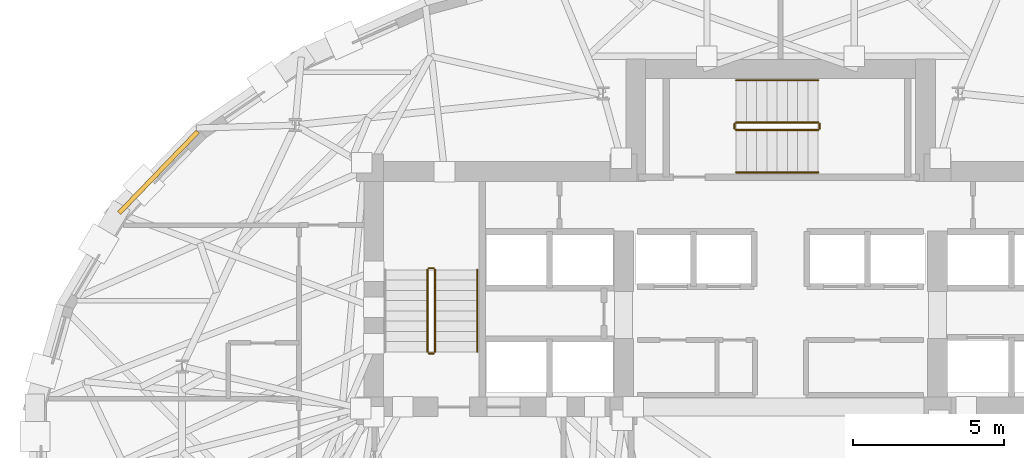
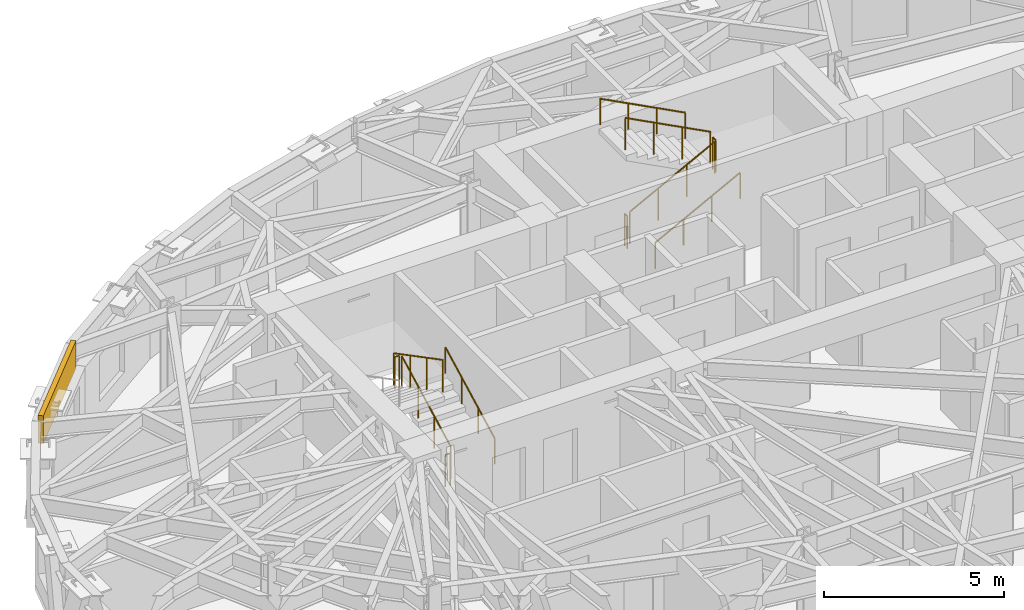
# One storey, part 13 of 15: 11 railings, 1 covering.
"""IFC4 building model written with IfcOpenShell, lengths in metres."""

import ifcopenshell
import ifcopenshell.guid

model = None  # the IFC model being written
_history = None  # IfcOwnerHistory: only IFC2X3 demands one
_inside = {}  # id of a spatial element -> (the spatial element, [elements in it])
_under = {}  # id of a project, library or spatial element -> (it, [spatial elements below it])
_declared = {}  # id of a project -> (the project, [libraries it declares])
_typed = {}  # id of a type object -> (the type object, [elements of that type])
_made_of = {}  # id of a material, layer set ... -> (it, [elements and type objects made of it])


def new_model(schema):
    """Start an empty IFC model of exactly this schema.

    Asked for "IFC4X3", IfcOpenShell would pick the latest addendum, in which some entities
    have other attributes; the version numbers below select the first issue.
    IFC2X3 requires an IfcOwnerHistory on every rooted entity: one is made here for all.
    """
    global model, _history
    if schema == "IFC4X3":
        model = ifcopenshell.file(schema_version=(4, 3, 0, 0))
    else:
        model = ifcopenshell.file(schema=schema)
    _inside.clear()
    _under.clear()
    _declared.clear()
    _typed.clear()
    _made_of.clear()
    _history = None
    if model.schema == "IFC2X3":
        org = make("IfcOrganization", Name="unknown")
        user = make(
            "IfcPersonAndOrganization",
            ThePerson=make("IfcPerson", FamilyName="unknown"),
            TheOrganization=org,
        )
        app = make(
            "IfcApplication",
            ApplicationDeveloper=org,
            Version="unknown",
            ApplicationFullName="unknown",
            ApplicationIdentifier="unknown",
        )
        _history = make(
            "IfcOwnerHistory",
            OwningUser=user,
            OwningApplication=app,
            ChangeAction="ADDED",
            CreationDate=0,
        )
    return model


def make(cls, **values):
    """One entity of the class cls with the attributes given. An attribute that is None is left unset."""
    return model.create_entity(
        cls, **{name: value for name, value in values.items() if value is not None}
    )


def rooted(cls, **values):
    """An entity with a GlobalId (a new one), such as an element, a storey or a relation."""
    return make(cls, GlobalId=ifcopenshell.guid.new(), OwnerHistory=_history, **values)


def si_unit(unit_type, name, prefix=None):
    """IfcSIUnit, for example si_unit("LENGTHUNIT", "METRE", prefix="MILLI")."""
    return make("IfcSIUnit", UnitType=unit_type, Prefix=prefix, Name=name)


def assignment(units):
    """IfcUnitAssignment: the units of a project."""
    return None if units is None else make("IfcUnitAssignment", Units=units)


def point(xyz):
    """IfcCartesianPoint."""
    return None if xyz is None else make("IfcCartesianPoint", Coordinates=xyz)


def direction(xyz):
    """IfcDirection."""
    return None if xyz is None else make("IfcDirection", DirectionRatios=xyz)


def frame(location, z_axis=None, x_axis=None):
    """IfcAxis2Placement3D, a coordinate frame: its origin and axes. An axis left out is left unset."""
    return make(
        "IfcAxis2Placement3D",
        Location=point(location),
        Axis=direction(z_axis),
        RefDirection=direction(x_axis),
    )


def frame_2d(location, x_axis=None):
    """IfcAxis2Placement2D, a coordinate frame in the plane: its origin and x axis."""
    return make(
        "IfcAxis2Placement2D", Location=point(location), RefDirection=direction(x_axis)
    )


def origin():
    """The frame at (0, 0, 0) with its axes left unset."""
    return frame((0.0, 0.0, 0.0))


def origin_2d():
    """The frame at (0, 0) in the plane with its x axis left unset."""
    return frame_2d((0.0, 0.0))


def place(relative_to, where):
    """IfcLocalPlacement: puts the frame where relative to a parent placement (None: the world)."""
    return make(
        "IfcLocalPlacement", PlacementRelTo=relative_to, RelativePlacement=where
    )


def context(
    kind, dimensions, precision=None, world=None, true_north=None, identifier=None
):
    """IfcGeometricRepresentationContext, for example the 3D "Model" context."""
    return make(
        "IfcGeometricRepresentationContext",
        ContextIdentifier=identifier,
        ContextType=kind,
        CoordinateSpaceDimension=dimensions,
        Precision=precision,
        WorldCoordinateSystem=world,
        TrueNorth=true_north,
    )


def subcontext(parent, identifier, kind, view, scale=None):
    """IfcGeometricRepresentationSubContext, for example "Body" below "Model"."""
    return make(
        "IfcGeometricRepresentationSubContext",
        ContextIdentifier=identifier,
        ContextType=kind,
        ParentContext=parent,
        TargetScale=scale,
        TargetView=view,
    )


def project(units=None, contexts=None):
    """IfcProject with its units and contexts."""
    return rooted(
        "IfcProject",
        Name="project",
        RepresentationContexts=contexts,
        UnitsInContext=assignment(units),
    )


def spatial(cls, under=None, at=None, **own):
    """A site, building, storey or space (cls), placed at a placement, below another one or the project."""
    s = rooted(cls, ObjectPlacement=at, **own)
    if under is not None:
        _under.setdefault(under.id(), (under, []))[1].append(s)
    return s


def profile(cls, at=None, kind="AREA", **sizes):
    """A parametric profile (cls). Its sizes go by their IFC names, for example OverallWidth=200.0."""
    return make(cls, ProfileType=kind, Position=at, **sizes)


def rectangle(**sizes):
    """IfcRectangleProfileDef."""
    return profile("IfcRectangleProfileDef", **sizes)


def circle(**sizes):
    """IfcCircleProfileDef."""
    return profile("IfcCircleProfileDef", **sizes)


def extrude(swept, where, along, depth):
    """IfcExtrudedAreaSolid: the profile swept, set in the frame where, extruded along a direction by depth."""
    return make(
        "IfcExtrudedAreaSolid",
        SweptArea=swept,
        Position=where,
        ExtrudedDirection=direction(along),
        Depth=depth,
    )


def shape(context_of_items, identifier, shape_type, items):
    """IfcShapeRepresentation: the items that make up one representation, for example the "Body"."""
    return make(
        "IfcShapeRepresentation",
        ContextOfItems=context_of_items,
        RepresentationIdentifier=identifier,
        RepresentationType=shape_type,
        Items=items,
    )


def material(Name=None, Category=None):
    """IfcMaterial."""
    return make("IfcMaterial", Name=Name, Category=Category)


def layer(
    of_material, thickness, ventilated=None, Name=None, Category=None, Priority=None
):
    """IfcMaterialLayer: one layer of a wall or slab, of a material (None: an air gap)."""
    return make(
        "IfcMaterialLayer",
        Material=of_material,
        LayerThickness=thickness,
        IsVentilated=ventilated,
        Name=Name,
        Category=Category,
        Priority=Priority,
    )


def layer_set(layers, Name=None):
    """IfcMaterialLayerSet."""
    return make("IfcMaterialLayerSet", MaterialLayers=layers, LayerSetName=Name)


def made_of(thing, what):
    """Note that an element or type object is made of a material, layer set ...; save() writes the relation."""
    if what is not None:
        _made_of.setdefault(what.id(), (what, []))[1].append(thing)
    return thing


def type_object(cls, material=None, **own):
    """A type object (cls), such as IfcWallType, which elements share."""
    return made_of(rooted(cls, **own), material)


def element(
    cls,
    number,
    at=None,
    inside=None,
    cuts=None,
    type_object=None,
    material=None,
    context=None,
    identifier="Body",
    shape_type=None,
    held_by="IfcProductDefinitionShape",
    body=None,
    shapes=None,
    **own,
):
    """One element of the class cls, such as IfcWall. Its Tag is "e" and its number.

    at: its placement. inside: the storey or other place that contains it. cuts: it is an
    opening in that element (IfcRelVoidsElement). A single representation is given by context,
    identifier, shape_type and body (its items); several are given by shapes. held_by: the class
    of the entity that holds the representations. save() writes the other relations.
    """
    e = rooted(cls, Tag="e%d" % number, ObjectPlacement=at, **own)
    if body is not None:
        shapes = [shape(context, identifier, shape_type, body)]
    if shapes is not None:
        e.Representation = make(held_by, Representations=shapes)
    if inside is not None:
        _inside.setdefault(inside.id(), (inside, []))[1].append(e)
    if cuts is not None:
        rooted(
            "IfcRelVoidsElement", RelatingBuildingElement=cuts, RelatedOpeningElement=e
        )
    if type_object is not None:
        _typed.setdefault(type_object.id(), (type_object, []))[1].append(e)
    return made_of(e, material)


def aggregate(whole, parts):
    """IfcRelAggregates: a whole, such as a stair, and the parts it consists of."""
    return rooted("IfcRelAggregates", RelatingObject=whole, RelatedObjects=parts)


def save(model, path):
    """Write the relations noted so far, then the file.

    IfcRelAggregates (storeys below a building ...), IfcRelContainedInSpatialStructure (elements
    in a storey), IfcRelDefinesByType, IfcRelAssociatesMaterial and IfcRelDeclares: one each for
    every whole, place, type object, material and project.
    """
    for whole, parts in _under.values():
        aggregate(whole, parts)
    for where, things in _inside.values():
        rooted(
            "IfcRelContainedInSpatialStructure",
            RelatedElements=things,
            RelatingStructure=where,
        )
    for kind, things in _typed.values():
        rooted("IfcRelDefinesByType", RelatedObjects=things, RelatingType=kind)
    for what, things in _made_of.values():
        rooted("IfcRelAssociatesMaterial", RelatedObjects=things, RelatingMaterial=what)
    for by, libraries in _declared.values():
        rooted("IfcRelDeclares", RelatingContext=by, RelatedDefinitions=libraries)
    model.write(path)


model = new_model("IFC4")

# Units and contexts
model_context = context("Model", 3, precision=1e-05, world=origin(), true_north=direction((0.0, 1.0)))
body_context = subcontext(model_context, "Body", "Model", "MODEL_VIEW")
ifc_project = project(units=[si_unit("LENGTHUNIT", "METRE"), si_unit("AREAUNIT", "SQUARE_METRE"), si_unit("VOLUMEUNIT", "CUBIC_METRE"), si_unit("PLANEANGLEUNIT", "RADIAN"), si_unit("MASSUNIT", "GRAM", prefix="KILO")], contexts=[model_context])

# Site, building, storey
site_placement = place(None, origin())
site = spatial("IfcSite", under=ifc_project, at=site_placement, CompositionType="ELEMENT")
building_placement = place(site_placement, origin())
building = spatial("IfcBuilding", under=site, at=building_placement, Name="Keldmark Tower", CompositionType="ELEMENT")
storey_placement = place(building_placement, frame((0.0, 0.0, 166.199951171875)))
storey = spatial("IfcBuildingStorey", under=building, at=storey_placement, Name="L45", CompositionType="ELEMENT", Elevation=166.199951171875)

# Covering
ifc_material_1 = material(Name="Honed Kasota Buff Dolomitic Limestone", Category="masonry")
ifc_layer = layer(ifc_material_1, 0.074951171875)
ifc_layer_set = layer_set([ifc_layer], Name="Honed Kasota Buff Dolomitic Limestone")
covering_type = type_object("IfcCoveringType", Name="Kasota Buff Limestone Spandrel Cladding Band", PredefinedType="CLADDING", material=ifc_layer_set)
covering_placement = place(storey_placement, frame((-20.6142578125, 9.298095703125, 2.239013671875), z_axis=(0.0, 0.0, 1.0), x_axis=(-0.694959625859, -0.719048759422, 0.0)))
element("IfcCovering", 1, at=covering_placement, inside=storey, type_object=covering_type, Name="L45 Kasota Limestone Spandrel Band 13", PredefinedType="CLADDING", context=body_context, shape_type="SweptSolid", body=[
    extrude(rectangle(XDim=3.74609375, YDim=0.14990234375, at=origin_2d()), origin(), (0.0, 0.0, 1.0), 0.94091796875),
])

# Railings
ifc_material_2 = material(Name="Painted Steel ASTM A500 Grade B", Category="steel")
railing_type_1 = type_object("IfcRailingType", Name="Painted Steel Stair Well Guard 1100 mm", PredefinedType="GUARDRAIL", material=ifc_material_2)
railing_1_placement = place(storey_placement, frame((-11.449951171875, 3.35009765625, 0.177734375)))
element("IfcRailing", 2, at=railing_1_placement, inside=storey, type_object=railing_type_1, Name="L45 ST1 stair guard 1", PredefinedType="GUARDRAIL", context=body_context, shape_type="SweptSolid", body=[
    extrude(circle(Radius=0.02392578125, at=origin_2d()), frame((0.0, 0.0, 1.076171875), z_axis=(0.0, 0.886150474775, 0.463397600399), x_axis=(-1.0, 0.0, 0.0)), (0.0, 0.0, 1.0), 3.0693359375),
    extrude(circle(Radius=0.02099609375, at=origin_2d()), origin(), (0.0, 0.0, 1.0), 1.052001953125),
    extrude(circle(Radius=0.02099609375, at=origin_2d()), frame((0.0, 0.90673828125, 0.47412109375)), (0.0, 0.0, 1.0), 1.052001953125),
    extrude(circle(Radius=0.02099609375, at=origin_2d()), frame((0.0, 1.813232421875, 0.9482421875)), (0.0, 0.0, 1.0), 1.052001953125),
    extrude(circle(Radius=0.02099609375, at=origin_2d()), frame((0.0, 2.719970703125, 1.42236328125)), (0.0, 0.0, 1.0), 1.052001953125),
])
railing_2_placement = place(storey_placement, frame((-11.5, 6.1201171875, 1.60009765625)))
element("IfcRailing", 3, at=railing_2_placement, inside=storey, type_object=railing_type_1, Name="L45 ST1 stair guard 2", PredefinedType="GUARDRAIL", context=body_context, shape_type="SweptSolid", body=[
    extrude(circle(Radius=0.02392578125, at=origin_2d()), frame((0.0, 0.0, 1.076171875), z_axis=(-1.0, 0.0, 0.0), x_axis=(0.0, -1.0, 0.0)), (0.0, 0.0, 1.0), 0.14990234375),
    extrude(circle(Radius=0.02099609375, at=origin_2d()), origin(), (0.0, 0.0, 1.0), 1.052001953125),
    extrude(circle(Radius=0.02099609375, at=origin_2d()), frame((-0.14990234375, 0.0, 0.0)), (0.0, 0.0, 1.0), 1.052001953125),
])
railing_3_placement = place(storey_placement, frame((-11.699951171875, 6.070068359375, 1.77783203125)))
element("IfcRailing", 4, at=railing_3_placement, inside=storey, type_object=railing_type_1, Name="L45 ST1 stair guard 3", PredefinedType="GUARDRAIL", context=body_context, shape_type="SweptSolid", body=[
    extrude(circle(Radius=0.02392578125, at=origin_2d()), frame((0.0, 0.0, 1.076171875), z_axis=(0.0, -0.886183135912, 0.463335137482), x_axis=(1.0, 0.0, 0.0)), (0.0, 0.0, 1.0), 3.0693359375),
    extrude(circle(Radius=0.02099609375, at=origin_2d()), origin(), (0.0, 0.0, 1.0), 1.052001953125),
    extrude(circle(Radius=0.02099609375, at=origin_2d()), frame((0.0, -0.90673828125, 0.47412109375)), (0.0, 0.0, 1.0), 1.052001953125),
    extrude(circle(Radius=0.02099609375, at=origin_2d()), frame((0.0, -1.813232421875, 0.947998046875)), (0.0, 0.0, 1.0), 1.052001953125),
    extrude(circle(Radius=0.02099609375, at=origin_2d()), frame((0.0, -2.719970703125, 1.422119140625)), (0.0, 0.0, 1.0), 1.052001953125),
])
railing_4_placement = place(storey_placement, frame((-11.5, 3.300048828125, 0.0)))
element("IfcRailing", 5, at=railing_4_placement, inside=storey, type_object=railing_type_1, Name="L45 ST1 stair guard 4", PredefinedType="GUARDRAIL", context=body_context, shape_type="SweptSolid", body=[
    extrude(circle(Radius=0.02392578125, at=origin_2d()), frame((0.0, 0.0, 1.076171875), z_axis=(-1.0, 0.0, 0.0), x_axis=(0.0, -1.0, 0.0)), (0.0, 0.0, 1.0), 0.14990234375),
    extrude(circle(Radius=0.02099609375, at=origin_2d()), origin(), (0.0, 0.0, 1.0), 1.052001953125),
    extrude(circle(Radius=0.02099609375, at=origin_2d()), frame((-0.14990234375, 0.0, 0.0)), (0.0, 0.0, 1.0), 1.052001953125),
])
railing_5_placement = place(storey_placement, frame((-1.47509765625, 10.699951171875, 0.177734375)))
element("IfcRailing", 6, at=railing_5_placement, inside=storey, type_object=railing_type_1, Name="L45 ST3 stair guard 1", PredefinedType="GUARDRAIL", context=body_context, shape_type="SweptSolid", body=[
    extrude(circle(Radius=0.02392578125, at=origin_2d()), frame((0.0, 0.0, 1.076171875), z_axis=(0.886167553088, 0.0, 0.463364940252), x_axis=(0.0, 1.0, 0.0)), (0.0, 0.0, 1.0), 3.069580078125),
    extrude(circle(Radius=0.02099609375, at=origin_2d()), origin(), (0.0, 0.0, 1.0), 1.052001953125),
    extrude(circle(Radius=0.02099609375, at=origin_2d()), frame((0.90673828125, 0.0, 0.47412109375)), (0.0, 0.0, 1.0), 1.052001953125),
    extrude(circle(Radius=0.02099609375, at=origin_2d()), frame((1.8134765625, 0.0, 0.9482421875)), (0.0, 0.0, 1.0), 1.052001953125),
    extrude(circle(Radius=0.02099609375, at=origin_2d()), frame((2.72021484375, 0.0, 1.42236328125)), (0.0, 0.0, 1.0), 1.052001953125),
])
railing_6_placement = place(storey_placement, frame((1.294921875, 10.75, 1.60009765625)))
element("IfcRailing", 7, at=railing_6_placement, inside=storey, type_object=railing_type_1, Name="L45 ST3 stair guard 2", PredefinedType="GUARDRAIL", context=body_context, shape_type="SweptSolid", body=[
    extrude(circle(Radius=0.02392578125, at=origin_2d()), frame((0.0, 0.0, 1.076171875), z_axis=(0.0, 1.0, 0.0), x_axis=(-1.0, 0.0, 0.0)), (0.0, 0.0, 1.0), 0.14990234375),
    extrude(circle(Radius=0.02099609375, at=origin_2d()), origin(), (0.0, 0.0, 1.0), 1.052001953125),
    extrude(circle(Radius=0.02099609375, at=origin_2d()), frame((0.0, 0.14990234375, 0.0)), (0.0, 0.0, 1.0), 1.052001953125),
])
railing_7_placement = place(storey_placement, frame((1.2451171875, 10.949951171875, 1.77783203125)))
element("IfcRailing", 8, at=railing_7_placement, inside=storey, type_object=railing_type_1, Name="L45 ST3 stair guard 3", PredefinedType="GUARDRAIL", context=body_context, shape_type="SweptSolid", body=[
    extrude(circle(Radius=0.02392578125, at=origin_2d()), frame((0.0, 0.0, 1.076171875), z_axis=(-0.886200210249, 0.0, 0.463302479331), x_axis=(0.0, -1.0, 0.0)), (0.0, 0.0, 1.0), 3.069580078125),
    extrude(circle(Radius=0.02099609375, at=origin_2d()), origin(), (0.0, 0.0, 1.0), 1.052001953125),
    extrude(circle(Radius=0.02099609375, at=origin_2d()), frame((-0.90673828125, 0.0, 0.47412109375)), (0.0, 0.0, 1.0), 1.052001953125),
    extrude(circle(Radius=0.02099609375, at=origin_2d()), frame((-1.8134765625, 0.0, 0.947998046875)), (0.0, 0.0, 1.0), 1.052001953125),
    extrude(circle(Radius=0.02099609375, at=origin_2d()), frame((-2.72021484375, 0.0, 1.422119140625)), (0.0, 0.0, 1.0), 1.052001953125),
])
railing_8_placement = place(storey_placement, frame((-1.52490234375, 10.75, 0.0)))
element("IfcRailing", 9, at=railing_8_placement, inside=storey, type_object=railing_type_1, Name="L45 ST3 stair guard 4", PredefinedType="GUARDRAIL", context=body_context, shape_type="SweptSolid", body=[
    extrude(circle(Radius=0.02392578125, at=origin_2d()), frame((0.0, 0.0, 1.076171875), z_axis=(0.0, 1.0, 0.0), x_axis=(-1.0, 0.0, 0.0)), (0.0, 0.0, 1.0), 0.14990234375),
    extrude(circle(Radius=0.02099609375, at=origin_2d()), origin(), (0.0, 0.0, 1.0), 1.052001953125),
    extrude(circle(Radius=0.02099609375, at=origin_2d()), frame((0.0, 0.14990234375, 0.0)), (0.0, 0.0, 1.0), 1.052001953125),
])
ifc_material_3 = material(Name="Stainless Steel AISI 316L", Category="steel")
railing_type_2 = type_object("IfcRailingType", Name="Stainless Steel Stair Handrail 900 mm", PredefinedType="HANDRAIL", material=ifc_material_3)
railing_9_placement = place(storey_placement, frame((-10.050048828125, 3.35009765625, 0.177734375)))
element("IfcRailing", 10, at=railing_9_placement, inside=storey, type_object=railing_type_2, Name="L45 ST1 stair handrail 1", PredefinedType="HANDRAIL", context=body_context, shape_type="SweptSolid", body=[
    extrude(circle(Radius=0.02392578125, at=origin_2d()), frame((0.0, 0.0, 0.8759765625), z_axis=(0.0, 0.886150474775, 0.463397600399), x_axis=(-1.0, 0.0, 0.0)), (0.0, 0.0, 1.0), 3.0693359375),
    extrude(circle(Radius=0.02099609375, at=origin_2d()), origin(), (0.0, 0.0, 1.0), 0.851806640625),
    extrude(circle(Radius=0.02099609375, at=origin_2d()), frame((0.0, 0.90673828125, 0.47412109375)), (0.0, 0.0, 1.0), 0.851806640625),
    extrude(circle(Radius=0.02099609375, at=origin_2d()), frame((0.0, 1.813232421875, 0.9482421875)), (0.0, 0.0, 1.0), 0.851806640625),
    extrude(circle(Radius=0.02099609375, at=origin_2d()), frame((0.0, 2.719970703125, 1.42236328125)), (0.0, 0.0, 1.0), 0.851806640625),
])
railing_10_placement = place(storey_placement, frame((-1.47509765625, 9.300048828125, 0.177734375)))
element("IfcRailing", 11, at=railing_10_placement, inside=storey, type_object=railing_type_2, Name="L45 ST3 stair handrail 1", PredefinedType="HANDRAIL", context=body_context, shape_type="SweptSolid", body=[
    extrude(circle(Radius=0.02392578125, at=origin_2d()), frame((0.0, 0.0, 0.8759765625), z_axis=(0.886167553088, 0.0, 0.463364940252), x_axis=(0.0, 1.0, 0.0)), (0.0, 0.0, 1.0), 3.069580078125),
    extrude(circle(Radius=0.02099609375, at=origin_2d()), origin(), (0.0, 0.0, 1.0), 0.851806640625),
    extrude(circle(Radius=0.02099609375, at=origin_2d()), frame((0.90673828125, 0.0, 0.47412109375)), (0.0, 0.0, 1.0), 0.851806640625),
    extrude(circle(Radius=0.02099609375, at=origin_2d()), frame((1.8134765625, 0.0, 0.9482421875)), (0.0, 0.0, 1.0), 0.851806640625),
    extrude(circle(Radius=0.02099609375, at=origin_2d()), frame((2.72021484375, 0.0, 1.42236328125)), (0.0, 0.0, 1.0), 0.851806640625),
])
railing_11_placement = place(storey_placement, frame((1.2451171875, 12.35009765625, 1.77783203125)))
element("IfcRailing", 12, at=railing_11_placement, inside=storey, type_object=railing_type_2, Name="L45 ST3 stair handrail 2", PredefinedType="HANDRAIL", context=body_context, shape_type="SweptSolid", body=[
    extrude(circle(Radius=0.02392578125, at=origin_2d()), frame((0.0, 0.0, 0.8759765625), z_axis=(-0.886200210249, 0.0, 0.463302479331), x_axis=(0.0, -1.0, 0.0)), (0.0, 0.0, 1.0), 3.069580078125),
    extrude(circle(Radius=0.02099609375, at=origin_2d()), origin(), (0.0, 0.0, 1.0), 0.851806640625),
    extrude(circle(Radius=0.02099609375, at=origin_2d()), frame((-0.90673828125, 0.0, 0.47412109375)), (0.0, 0.0, 1.0), 0.851806640625),
    extrude(circle(Radius=0.02099609375, at=origin_2d()), frame((-1.8134765625, 0.0, 0.947998046875)), (0.0, 0.0, 1.0), 0.851806640625),
    extrude(circle(Radius=0.02099609375, at=origin_2d()), frame((-2.72021484375, 0.0, 1.422119140625)), (0.0, 0.0, 1.0), 0.851806640625),
])

save(model, "model.ifc")
